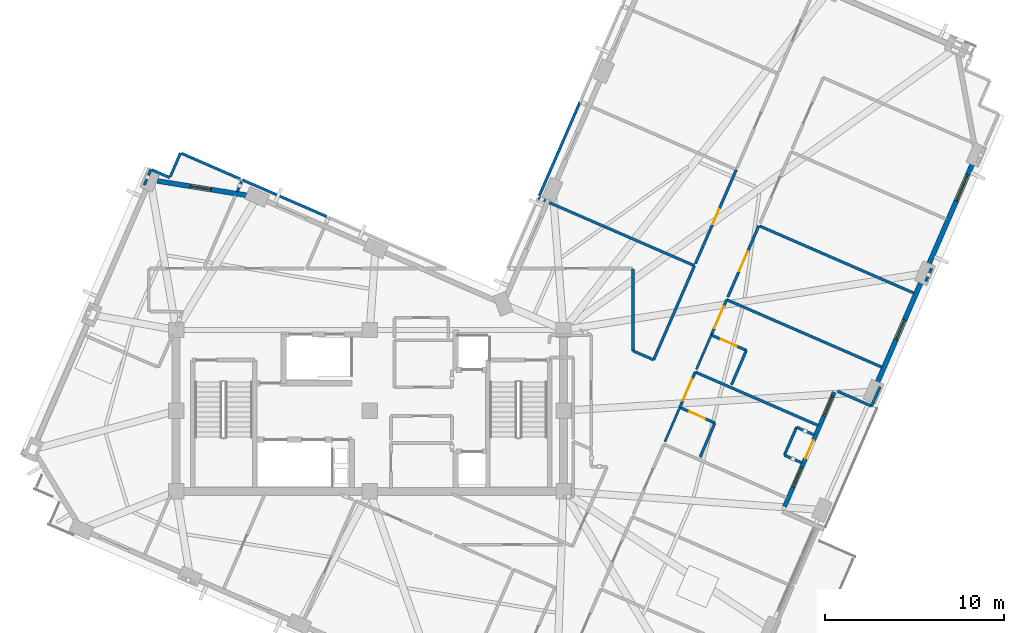
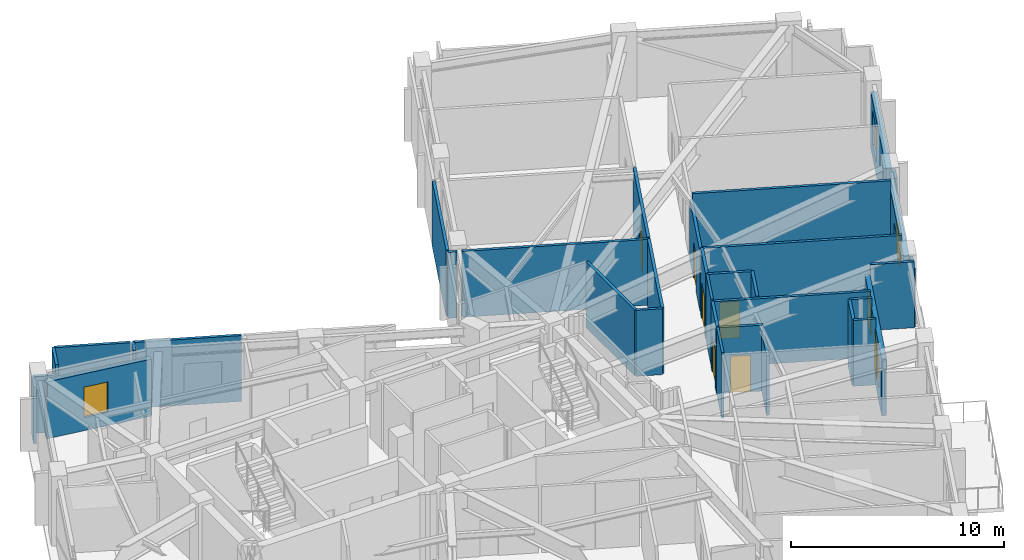
# One storey, part 8 of 12: 35 walls, 7 doors, 5 windows, 12 openings.
"""IFC4 building model written with IfcOpenShell, lengths in metres."""

from ifc_helpers import new_model, si_unit, direction, frame, frame_2d, origin, place, context, subcontext, project, spatial, rectangle, extrude, material, layer, layer_set, type_object, element, fill, save


model = new_model("IFC4")

# Units and contexts
model_context = context("Model", 3, precision=1e-05, world=origin(), true_north=direction((0.0, 1.0)))
body_context = subcontext(model_context, "Body", "Model", "MODEL_VIEW")
ifc_project = project(units=[si_unit("LENGTHUNIT", "METRE"), si_unit("AREAUNIT", "SQUARE_METRE"), si_unit("VOLUMEUNIT", "CUBIC_METRE"), si_unit("PLANEANGLEUNIT", "RADIAN"), si_unit("MASSUNIT", "GRAM", prefix="KILO")], contexts=[model_context])

# Site, building, storey
site_placement = place(None, origin())
site = spatial("IfcSite", under=ifc_project, at=site_placement, CompositionType="ELEMENT")
building_placement = place(site_placement, origin())
building = spatial("IfcBuilding", under=site, at=building_placement, Name="Gaonmaruhae Medical Tower", CompositionType="ELEMENT")
storey_placement = place(building_placement, frame((0.0, 0.0, 320.60009765625)))
storey = spatial("IfcBuildingStorey", under=building, at=storey_placement, Name="L77", CompositionType="ELEMENT", Elevation=320.60009765625)

# Wall, openings, door, windows
ifc_material_1 = material(Name="Precast concrete C45/55", Category="concrete")
ifc_layer_1 = layer(ifc_material_1, 0.239990234375)
ifc_layer_set_1 = layer_set([ifc_layer_1], Name="Precast concrete C45/55")
wall_type_1 = type_object("IfcWallType", Name="EW-240 Ribbon & Shelter Insulated Precast Wall", PredefinedType="SOLIDWALL", material=ifc_layer_set_1)
wall_1_placement = place(storey_placement, frame((50.703857421875, 13.327392578125, 0.0), z_axis=(0.0, 0.0, 1.0), x_axis=(-0.398727394062, -0.917069498579, 0.0)))
wall_1 = element("IfcWall", 1, at=wall_1_placement, inside=storey, type_object=wall_type_1, Name="L77 Recessed Terrace Enclosure Wall TERB", PredefinedType="SOLIDWALL", context=body_context, shape_type="SweptSolid", body=[
    extrude(rectangle(XDim=6.9599609375, YDim=0.239990234375, at=frame_2d((3.47998046875, 0.0))), origin(), (0.0, 0.0, 1.0), 3.264892578125),
])
opening_1_placement = place(wall_1_placement, frame((2.929931640625, 0.0, 0.0)))
opening_1 = element("IfcOpeningElement", 2, at=opening_1_placement, cuts=wall_1, Name="Opening TD-01", PredefinedType="OPENING", context=body_context, shape_type="SweptSolid", body=[
    extrude(rectangle(XDim=1.10009765625, YDim=2.14990234375, at=frame_2d((0.550048828125, 1.074951171875))), frame((0.0, 0.1298828125, 0.0), z_axis=(0.0, -1.0, 0.0), x_axis=(1.0, 0.0, 0.0)), (0.0, 0.0, 1.0), 0.260009765625),
])
opening_2_placement = place(wall_1_placement, frame((4.564453125, 0.0, 0.75)))
opening_2 = element("IfcOpeningElement", 3, at=opening_2_placement, cuts=wall_1, Name="Opening WN-05", PredefinedType="OPENING", context=body_context, shape_type="SweptSolid", body=[
    extrude(rectangle(XDim=1.199951171875, YDim=1.75, at=frame_2d((0.60009765625, 0.875))), frame((0.0, 0.1298828125, 0.0), z_axis=(0.0, -1.0, 0.0), x_axis=(1.0, 0.0, 0.0)), (0.0, 0.0, 1.0), 0.260009765625),
])
opening_3_placement = place(wall_1_placement, frame((0.234619140625, 0.0, 0.75)))
opening_3 = element("IfcOpeningElement", 4, at=opening_3_placement, cuts=wall_1, Name="Opening WN-05", PredefinedType="OPENING", context=body_context, shape_type="SweptSolid", body=[
    extrude(rectangle(XDim=1.199951171875, YDim=1.75, at=frame_2d((0.60009765625, 0.875))), frame((0.0, 0.1298828125, 0.0), z_axis=(0.0, -1.0, 0.0), x_axis=(1.0, 0.0, 0.0)), (0.0, 0.0, 1.0), 0.260009765625),
])
ifc_material_2 = material(Name="Anodised aluminium and toughened safety glass", Category="aluminium")
door_type_1 = type_object("IfcDoorType", Name="TD-01 Terrace & Sky Garden Glazed Door 1100x2150", OperationType="NOTDEFINED", PredefinedType="DOOR", material=ifc_material_2)
door_1_placement = place(opening_1_placement, origin())
door_1 = element("IfcDoor", 5, at=door_1_placement, inside=storey, type_object=door_type_1, Name="L77 Outdoor Terrace Access Door SLB-L77-TER", OperationType="SINGLE_SWING_RIGHT", OverallHeight=2.14990234375, OverallWidth=1.10009765625, PredefinedType="DOOR", context=body_context, shape_type="SweptSolid", body=[
    extrude(rectangle(XDim=1.10009765625, YDim=2.14990234375, at=frame_2d((0.550048828125, 1.074951171875))), frame((0.0, 0.02490234375, 0.0), z_axis=(0.0, -1.0, 0.0), x_axis=(1.0, 0.0, 0.0)), (0.0, 0.0, 1.0), 0.050048828125),
])
fill(opening_1, door_1)
ifc_material_3 = material(Name="Anodised aluminium and Low-E double glazing", Category="aluminium")
window_type_1 = type_object("IfcWindowType", Name="WN-05 Support & Staff Punched Window 1200x1750", PartitioningType="SINGLE_PANEL", PredefinedType="WINDOW", material=ifc_material_3)
window_1_placement = place(opening_2_placement, origin())
window_1 = element("IfcWindow", 6, at=window_1_placement, inside=storey, type_object=window_type_1, Name="L77 Patient Bedroom Window L77-BR02", OverallHeight=1.75, OverallWidth=1.199951171875, PartitioningType="SINGLE_PANEL", PredefinedType="WINDOW", context=body_context, shape_type="SweptSolid", body=[
    extrude(rectangle(XDim=1.199951171875, YDim=1.75, at=frame_2d((0.60009765625, 0.875))), frame((0.0, 0.030029296875, 0.0), z_axis=(0.0, -1.0, 0.0), x_axis=(1.0, 0.0, 0.0)), (0.0, 0.0, 1.0), 0.06005859375),
])
fill(opening_2, window_1)
window_2_placement = place(opening_3_placement, origin())
window_2 = element("IfcWindow", 7, at=window_2_placement, inside=storey, type_object=window_type_1, Name="L77 Patient Bedroom Window L77-BR03", OverallHeight=1.75, OverallWidth=1.199951171875, PartitioningType="SINGLE_PANEL", PredefinedType="WINDOW", context=body_context, shape_type="SweptSolid", body=[
    extrude(rectangle(XDim=1.199951171875, YDim=1.75, at=frame_2d((0.60009765625, 0.875))), frame((0.0, 0.030029296875, 0.0), z_axis=(0.0, -1.0, 0.0), x_axis=(1.0, 0.0, 0.0)), (0.0, 0.0, 1.0), 0.06005859375),
])
fill(opening_3, window_2)

# Wall, opening, window
ifc_layer_2 = layer(ifc_material_1, 0.280029296875)
ifc_layer_set_2 = layer_set([ifc_layer_2], Name="Precast concrete C45/55")
wall_type_2 = type_object("IfcWallType", Name="EW-280 Upper Precast Masonry-Frame Facade Wall", PredefinedType="SOLIDWALL", material=ifc_layer_set_2)
wall_2_placement = place(storey_placement, frame((55.6005859375, 19.598388671875, 0.0), z_axis=(0.0, 0.0, 1.0), x_axis=(-0.398744230651, -0.917062178112, 0.0)))
wall_2 = element("IfcWall", 8, at=wall_2_placement, inside=storey, type_object=wall_type_2, Name="L77 Precast Masonry-Frame Wall S04-S05", PredefinedType="SOLIDWALL", context=body_context, shape_type="SweptSolid", body=[
    extrude(rectangle(XDim=6.405029296875, YDim=0.280029296875, at=frame_2d((3.20263671875, 0.0))), origin(), (0.0, 0.0, 1.0), 3.244873046875),
])
opening_4_placement = place(wall_2_placement, frame((2.432373046875, 0.0, 0.75)))
opening_4 = element("IfcOpeningElement", 9, at=opening_4_placement, cuts=wall_2, Name="Opening WN-05", PredefinedType="OPENING", context=body_context, shape_type="SweptSolid", body=[
    extrude(rectangle(XDim=1.199951171875, YDim=1.75, at=frame_2d((0.60009765625, 0.875))), frame((0.0, 0.14990234375, 0.0), z_axis=(0.0, -1.0, 0.0), x_axis=(1.0, 0.0, 0.0)), (0.0, 0.0, 1.0), 0.300048828125),
])
window_3_placement = place(opening_4_placement, origin())
window_3 = element("IfcWindow", 10, at=window_3_placement, inside=storey, type_object=window_type_1, Name="L77 Modular Facade Window S04", OverallHeight=1.75, OverallWidth=1.199951171875, PartitioningType="SINGLE_PANEL", PredefinedType="WINDOW", context=body_context, shape_type="SweptSolid", body=[
    extrude(rectangle(XDim=1.199951171875, YDim=1.75, at=frame_2d((0.60009765625, 0.875))), frame((0.0, 0.030029296875, 0.0), z_axis=(0.0, -1.0, 0.0), x_axis=(1.0, 0.0, 0.0)), (0.0, 0.0, 1.0), 0.06005859375),
])
fill(opening_4, window_3)

wall_3_placement = place(storey_placement, frame((58.4716796875, 26.201171875, 0.0), z_axis=(0.0, 0.0, 1.0), x_axis=(-0.398776286617, -0.917048239316, 0.0)))
wall_3 = element("IfcWall", 11, at=wall_3_placement, inside=storey, type_object=wall_type_2, Name="L77 Precast Masonry-Frame Wall S05-S06", PredefinedType="SOLIDWALL", context=body_context, shape_type="SweptSolid", body=[
    extrude(rectangle(XDim=6.405029296875, YDim=0.280029296875, at=frame_2d((3.20263671875, 0.0))), origin(), (0.0, 0.0, 1.0), 3.244873046875),
])
opening_5_placement = place(wall_3_placement, frame((0.79638671875, 0.0, 0.75)))
opening_5 = element("IfcOpeningElement", 12, at=opening_5_placement, cuts=wall_3, Name="Opening WN-01", PredefinedType="OPENING", context=body_context, shape_type="SweptSolid", body=[
    extrude(rectangle(XDim=1.60009765625, YDim=1.949951171875, at=frame_2d((0.800048828125, 0.97509765625))), frame((0.0, 0.14990234375, 0.0), z_axis=(0.0, -1.0, 0.0), x_axis=(1.0, 0.0, 0.0)), (0.0, 0.0, 1.0), 0.300048828125),
])
window_type_2 = type_object("IfcWindowType", Name="WN-01 Ward Punched Acoustic Window 1600x1950", PartitioningType="SINGLE_PANEL", PredefinedType="WINDOW", material=ifc_material_3)
window_4_placement = place(opening_5_placement, origin())
window_4 = element("IfcWindow", 13, at=window_4_placement, inside=storey, type_object=window_type_2, Name="L77 Modular Facade Window S05", OverallHeight=1.949951171875, OverallWidth=1.60009765625, PartitioningType="SINGLE_PANEL", PredefinedType="WINDOW", context=body_context, shape_type="SweptSolid", body=[
    extrude(rectangle(XDim=1.60009765625, YDim=1.949951171875, at=frame_2d((0.800048828125, 0.97509765625))), frame((0.0, 0.030029296875, 0.0), z_axis=(0.0, -1.0, 0.0), x_axis=(1.0, 0.0, 0.0)), (0.0, 0.0, 1.0), 0.06005859375),
])
fill(opening_5, window_4)

wall_4_placement = place(storey_placement, frame((12.94580078125, 25.1103515625, 0.0), z_axis=(0.0, 0.0, 1.0), x_axis=(0.987363821305, -0.158469821666, 0.0)))
wall_4 = element("IfcWall", 14, at=wall_4_placement, inside=storey, type_object=wall_type_2, Name="L77 Precast Masonry-Frame Wall NE02-N01", PredefinedType="SOLIDWALL", context=body_context, shape_type="SweptSolid", body=[
    extrude(rectangle(XDim=5.244140625, YDim=0.280029296875, at=frame_2d((2.6220703125, 0.0))), origin(), (0.0, 0.0, 1.0), 3.264892578125),
])
opening_6_placement = place(wall_4_placement, frame((1.862060546875, 0.0, 0.75)))
opening_6 = element("IfcOpeningElement", 15, at=opening_6_placement, cuts=wall_4, Name="Opening WN-05", PredefinedType="OPENING", context=body_context, shape_type="SweptSolid", body=[
    extrude(rectangle(XDim=1.199951171875, YDim=1.75, at=frame_2d((0.60009765625, 0.875))), frame((0.0, 0.14990234375, 0.0), z_axis=(0.0, -1.0, 0.0), x_axis=(1.0, 0.0, 0.0)), (0.0, 0.0, 1.0), 0.300048828125),
])
window_5_placement = place(opening_6_placement, origin())
window_5 = element("IfcWindow", 16, at=window_5_placement, inside=storey, type_object=window_type_1, Name="L77 Modular Facade Window NE02", OverallHeight=1.75, OverallWidth=1.199951171875, PartitioningType="SINGLE_PANEL", PredefinedType="WINDOW", context=body_context, shape_type="SweptSolid", body=[
    extrude(rectangle(XDim=1.199951171875, YDim=1.75, at=frame_2d((0.60009765625, 0.875))), frame((0.0, 0.030029296875, 0.0), z_axis=(0.0, -1.0, 0.0), x_axis=(1.0, 0.0, 0.0)), (0.0, 0.0, 1.0), 0.06005859375),
])
fill(opening_6, window_5)

# Walls
ifc_material_4 = material(Name="Gypsum board partition", Category="gypsum")
ifc_layer_3 = layer(ifc_material_4, 0.125)
ifc_layer_set_3 = layer_set([ifc_layer_3], Name="Gypsum board partition")
wall_type_3 = type_object("IfcWallType", Name="PW-125 Ward & En-Suite Acoustic Partition", PredefinedType="PARTITIONING", material=ifc_layer_set_3)
wall_5_placement = place(storey_placement, frame((41.259033203125, 10.56494140625, 0.0), z_axis=(0.0, 0.0, 1.0), x_axis=(0.398808011477, 0.917034443182, 0.0)))
element("IfcWall", 17, at=wall_5_placement, inside=storey, type_object=wall_type_3, Name="L77 Interior Partition L77-ENS02-39", PredefinedType="PARTITIONING", context=body_context, shape_type="SweptSolid", body=[
    extrude(rectangle(XDim=2.071044921875, YDim=0.125, at=frame_2d((1.03564453125, 0.0))), origin(), (0.0, 0.0, 1.0), 3.77978515625),
])
wall_6_placement = place(storey_placement, frame((43.013916015625, 14.60009765625, 0.0), z_axis=(0.0, 0.0, 1.0), x_axis=(0.398553636867, 0.917145025904, 0.0)))
element("IfcWall", 18, at=wall_6_placement, inside=storey, type_object=wall_type_3, Name="L77 Interior Partition L77-ENS03-46", PredefinedType="PARTITIONING", context=body_context, shape_type="SweptSolid", body=[
    extrude(rectangle(XDim=2.070556640625, YDim=0.125, at=frame_2d((1.03515625, 0.0))), origin(), (0.0, 0.0, 1.0), 3.77978515625),
])

# Wall, opening, door
ifc_layer_4 = layer(ifc_material_4, 0.14990234375)
ifc_layer_set_4 = layer_set([ifc_layer_4], Name="Gypsum board partition")
wall_type_4 = type_object("IfcWallType", Name="PW-150 Rated Clinical Corridor Partition", PredefinedType="PARTITIONING", material=ifc_layer_set_4)
wall_7_placement = place(storey_placement, frame((42.093017578125, 12.48193359375, 0.0), z_axis=(0.0, 0.0, 1.0), x_axis=(0.398518519728, 0.917160285574, 0.0)))
wall_7 = element("IfcWall", 19, at=wall_7_placement, inside=storey, type_object=wall_type_4, Name="L77 Interior Partition L77-BR02-32", PredefinedType="PARTITIONING", context=body_context, shape_type="SweptSolid", body=[
    extrude(rectangle(XDim=2.150390625, YDim=0.14990234375, at=frame_2d((1.0751953125, 0.0))), origin(), (0.0, 0.0, 1.0), 3.77978515625),
])
opening_7_placement = place(wall_7_placement, frame((0.425048828125, 0.0, 0.0)))
opening_7 = element("IfcOpeningElement", 20, at=opening_7_placement, cuts=wall_7, Name="Opening WD-02", PredefinedType="OPENING", context=body_context, shape_type="SweptSolid", body=[
    extrude(rectangle(XDim=1.300048828125, YDim=2.14990234375, at=frame_2d((0.64990234375, 1.074951171875))), frame((0.0, 0.0849609375, 0.0), z_axis=(0.0, -1.0, 0.0), x_axis=(1.0, 0.0, 0.0)), (0.0, 0.0, 1.0), 0.169921875),
])
ifc_material_5 = material(Name="Antimicrobial laminate timber fire door", Category="wood")
door_type_2 = type_object("IfcDoorType", Name="WD-02 Isolation & ICU Patient Room Door 1300x2150", OperationType="NOTDEFINED", PredefinedType="DOOR", material=ifc_material_5)
door_2_placement = place(opening_7_placement, origin())
door_2 = element("IfcDoor", 21, at=door_2_placement, inside=storey, type_object=door_type_2, Name="L77 Single Isolation Patient Bedroom Door", OperationType="SINGLE_SWING_RIGHT", OverallHeight=2.14990234375, OverallWidth=1.300048828125, PredefinedType="DOOR", context=body_context, shape_type="SweptSolid", body=[
    extrude(rectangle(XDim=1.300048828125, YDim=2.14990234375, at=frame_2d((0.64990234375, 1.074951171875))), frame((0.0, 0.02490234375, 0.0), z_axis=(0.0, -1.0, 0.0), x_axis=(1.0, 0.0, 0.0)), (0.0, 0.0, 1.0), 0.050048828125),
])
fill(opening_7, door_2)

# Walls
wall_8_placement = place(storey_placement, frame((42.949951171875, 14.4541015625, 0.0), z_axis=(0.0, 0.0, 1.0), x_axis=(0.917043017742, -0.398788294224, 0.0)))
element("IfcWall", 22, at=wall_8_placement, inside=storey, type_object=wall_type_4, Name="L77 Interior Partition L77-BR02-33", PredefinedType="PARTITIONING", context=body_context, shape_type="SweptSolid", body=[
    extrude(rectangle(XDim=7.46533203125, YDim=0.14990234375, at=frame_2d((3.732666015625, 0.0))), origin(), (0.0, 0.0, 1.0), 3.77978515625),
])
wall_9_placement = place(storey_placement, frame((49.568115234375, 10.9541015625, 0.0), z_axis=(0.0, 0.0, 1.0), x_axis=(-0.917254037481, 0.398302687318, 0.0)))
element("IfcWall", 23, at=wall_9_placement, inside=storey, type_object=wall_type_4, Name="L77 Interior Partition L77-BR02-34", PredefinedType="PARTITIONING", context=body_context, shape_type="SweptSolid", body=[
    extrude(rectangle(XDim=1.05419921875, YDim=0.14990234375, at=frame_2d((0.527099609375, 0.0))), origin(), (0.0, 0.0, 1.0), 3.77978515625),
])
wall_10_placement = place(storey_placement, frame((48.60107421875, 11.3740234375, 0.0), z_axis=(0.0, 0.0, 1.0), x_axis=(-0.398783871208, -0.917044941137, 0.0)))
element("IfcWall", 24, at=wall_10_placement, inside=storey, type_object=wall_type_4, Name="L77 Interior Partition L77-BR02-35", PredefinedType="PARTITIONING", context=body_context, shape_type="SweptSolid", body=[
    extrude(rectangle(XDim=1.7001953125, YDim=0.14990234375, at=frame_2d((0.85009765625, 0.0))), origin(), (0.0, 0.0, 1.0), 3.77978515625),
])
wall_11_placement = place(storey_placement, frame((47.923095703125, 9.81494140625, 0.0), z_axis=(0.0, 0.0, 1.0), x_axis=(0.917217288132, -0.398387306966, 0.0)))
element("IfcWall", 25, at=wall_11_placement, inside=storey, type_object=wall_type_4, Name="L77 Interior Partition L77-BR02-36", PredefinedType="PARTITIONING", context=body_context, shape_type="SweptSolid", body=[
    extrude(rectangle(XDim=1.053955078125, YDim=0.14990234375, at=frame_2d((0.52685546875, 0.0))), origin(), (0.0, 0.0, 1.0), 3.77978515625),
])
wall_12_placement = place(storey_placement, frame((43.221923828125, 9.7119140625, 0.0), z_axis=(0.0, 0.0, 1.0), x_axis=(0.398682980107, 0.91708880779, 0.0)))
element("IfcWall", 26, at=wall_12_placement, inside=storey, type_object=wall_type_4, Name="L77 Interior Partition L77-BR02-37", PredefinedType="PARTITIONING", context=body_context, shape_type="SweptSolid", body=[
    extrude(rectangle(XDim=2.06982421875, YDim=0.14990234375, at=frame_2d((1.034912109375, 0.0))), origin(), (0.0, 0.0, 1.0), 3.414794921875),
])

# Wall, opening, door
wall_13_placement = place(storey_placement, frame((44.047119140625, 11.610107421875, 0.0), z_axis=(0.0, 0.0, 1.0), x_axis=(-0.913231902411, 0.407440170354, 0.0)))
wall_13 = element("IfcWall", 27, at=wall_13_placement, inside=storey, type_object=wall_type_4, Name="L77 Interior Partition L77-BR02-38", PredefinedType="PARTITIONING", context=body_context, shape_type="SweptSolid", body=[
    extrude(rectangle(XDim=2.1396484375, YDim=0.14990234375, at=frame_2d((1.06982421875, 0.0))), origin(), (0.0, 0.0, 1.0), 3.77978515625),
])
opening_8_placement = place(wall_13_placement, frame((0.594970703125, 0.0, 0.0)))
opening_8 = element("IfcOpeningElement", 28, at=opening_8_placement, cuts=wall_13, Name="Opening ED-01", PredefinedType="OPENING", context=body_context, shape_type="SweptSolid", body=[
    extrude(rectangle(XDim=0.949951171875, YDim=2.10009765625, at=frame_2d((0.47509765625, 1.050048828125))), frame((0.0, 0.0849609375, 0.0), z_axis=(0.0, -1.0, 0.0), x_axis=(1.0, 0.0, 0.0)), (0.0, 0.0, 1.0), 0.169921875),
])
ifc_material_6 = material(Name="Moisture-resistant HPL hospital door", Category="wood")
door_type_3 = type_object("IfcDoorType", Name="ED-01 Patient En-Suite Bathroom Door 950x2100", OperationType="NOTDEFINED", PredefinedType="DOOR", material=ifc_material_6)
door_3_placement = place(opening_8_placement, origin())
door_3 = element("IfcDoor", 29, at=door_3_placement, inside=storey, type_object=door_type_3, Name="L77 Patient En-Suite Bathroom Door", OperationType="SINGLE_SWING_LEFT", OverallHeight=2.10009765625, OverallWidth=0.949951171875, PredefinedType="DOOR", context=body_context, shape_type="SweptSolid", body=[
    extrude(rectangle(XDim=0.949951171875, YDim=2.10009765625, at=frame_2d((0.47509765625, 1.050048828125))), frame((0.0, 0.02490234375, 0.0), z_axis=(0.0, -1.0, 0.0), x_axis=(1.0, 0.0, 0.0)), (0.0, 0.0, 1.0), 0.050048828125),
])
fill(opening_8, door_3)

# Wall
wall_14_placement = place(storey_placement, frame((44.97607421875, 13.7470703125, 0.0), z_axis=(0.0, 0.0, 1.0), x_axis=(0.396236327193, 0.918148557159, 0.0)))
element("IfcWall", 30, at=wall_14_placement, inside=storey, type_object=wall_type_4, Name="L77 Interior Partition L77-BR03-40", PredefinedType="PARTITIONING", context=body_context, shape_type="SweptSolid", body=[
    extrude(rectangle(XDim=2.08447265625, YDim=0.14990234375, at=frame_2d((1.042236328125, 0.0))), origin(), (0.0, 0.0, 1.0), 3.77978515625),
])

# Wall, opening, door
wall_15_placement = place(storey_placement, frame((45.802001953125, 15.660888671875, 0.0), z_axis=(0.0, 0.0, 1.0), x_axis=(-0.916010257987, 0.401154842003, 0.0)))
wall_15 = element("IfcWall", 31, at=wall_15_placement, inside=storey, type_object=wall_type_4, Name="L77 Interior Partition L77-BR03-41", PredefinedType="PARTITIONING", context=body_context, shape_type="SweptSolid", body=[
    extrude(rectangle(XDim=2.13427734375, YDim=0.14990234375, at=frame_2d((1.067138671875, 0.0))), origin(), (0.0, 0.0, 1.0), 3.77978515625),
])
opening_9_placement = place(wall_15_placement, frame((0.592041015625, 0.0, 0.0)))
opening_9 = element("IfcOpeningElement", 32, at=opening_9_placement, cuts=wall_15, Name="Opening ED-01", PredefinedType="OPENING", context=body_context, shape_type="SweptSolid", body=[
    extrude(rectangle(XDim=0.949951171875, YDim=2.10009765625, at=frame_2d((0.47509765625, 1.050048828125))), frame((0.0, 0.0849609375, 0.0), z_axis=(0.0, -1.0, 0.0), x_axis=(1.0, 0.0, 0.0)), (0.0, 0.0, 1.0), 0.169921875),
])
door_4_placement = place(opening_9_placement, origin())
door_4 = element("IfcDoor", 33, at=door_4_placement, inside=storey, type_object=door_type_3, Name="L77 Patient En-Suite Bathroom Door", OperationType="SINGLE_SWING_LEFT", OverallHeight=2.10009765625, OverallWidth=0.949951171875, PredefinedType="DOOR", context=body_context, shape_type="SweptSolid", body=[
    extrude(rectangle(XDim=0.949951171875, YDim=2.10009765625, at=frame_2d((0.47509765625, 1.050048828125))), frame((0.0, 0.02490234375, 0.0), z_axis=(0.0, -1.0, 0.0), x_axis=(1.0, 0.0, 0.0)), (0.0, 0.0, 1.0), 0.050048828125),
])
fill(opening_9, door_4)

wall_16_placement = place(storey_placement, frame((43.846923828125, 16.51708984375, 0.0), z_axis=(0.0, 0.0, 1.0), x_axis=(0.398655528378, 0.917100741301, 0.0)))
wall_16 = element("IfcWall", 34, at=wall_16_placement, inside=storey, type_object=wall_type_4, Name="L77 Interior Partition L77-BR03-42", PredefinedType="PARTITIONING", context=body_context, shape_type="SweptSolid", body=[
    extrude(rectangle(XDim=2.150146484375, YDim=0.14990234375, at=frame_2d((1.0751953125, 0.0))), origin(), (0.0, 0.0, 1.0), 3.77978515625),
])
opening_10_placement = place(wall_16_placement, frame((0.425048828125, 0.0, 0.0)))
opening_10 = element("IfcOpeningElement", 35, at=opening_10_placement, cuts=wall_16, Name="Opening WD-02", PredefinedType="OPENING", context=body_context, shape_type="SweptSolid", body=[
    extrude(rectangle(XDim=1.300048828125, YDim=2.14990234375, at=frame_2d((0.64990234375, 1.074951171875))), frame((0.0, 0.0849609375, 0.0), z_axis=(0.0, -1.0, 0.0), x_axis=(1.0, 0.0, 0.0)), (0.0, 0.0, 1.0), 0.169921875),
])
door_5_placement = place(opening_10_placement, origin())
door_5 = element("IfcDoor", 36, at=door_5_placement, inside=storey, type_object=door_type_2, Name="L77 Single Isolation Patient Bedroom Door", OperationType="SINGLE_SWING_RIGHT", OverallHeight=2.14990234375, OverallWidth=1.300048828125, PredefinedType="DOOR", context=body_context, shape_type="SweptSolid", body=[
    extrude(rectangle(XDim=1.300048828125, YDim=2.14990234375, at=frame_2d((0.64990234375, 1.074951171875))), frame((0.0, 0.02490234375, 0.0), z_axis=(0.0, -1.0, 0.0), x_axis=(1.0, 0.0, 0.0)), (0.0, 0.0, 1.0), 0.050048828125),
])
fill(opening_10, door_5)

# Walls
wall_17_placement = place(storey_placement, frame((44.7041015625, 18.489013671875, 0.0), z_axis=(0.0, 0.0, 1.0), x_axis=(0.917037556052, -0.398800853547, 0.0)))
element("IfcWall", 37, at=wall_17_placement, inside=storey, type_object=wall_type_4, Name="L77 Interior Partition L77-BR03-43", PredefinedType="PARTITIONING", context=body_context, shape_type="SweptSolid", body=[
    extrude(rectangle(XDim=9.435546875, YDim=0.14990234375, at=frame_2d((4.7177734375, 0.0))), origin(), (0.0, 0.0, 1.0), 3.77978515625),
])
wall_18_placement = place(storey_placement, frame((53.258056640625, 13.633056640625, 0.0), z_axis=(0.0, 0.0, 1.0), x_axis=(-0.398688245034, -0.917086518967, 0.0)))
element("IfcWall", 38, at=wall_18_placement, inside=storey, type_object=wall_type_4, Name="L77 Interior Partition L77-BR03-44", PredefinedType="PARTITIONING", context=body_context, shape_type="SweptSolid", body=[
    extrude(rectangle(XDim=1.1787109375, YDim=0.14990234375, at=frame_2d((0.58935546875, 0.0))), origin(), (0.0, 0.0, 1.0), 3.244873046875),
])
wall_19_placement = place(storey_placement, frame((52.7880859375, 12.552001953125, 0.0), z_axis=(0.0, 0.0, 1.0), x_axis=(-0.91699543107, 0.39889770543, 0.0)))
element("IfcWall", 39, at=wall_19_placement, inside=storey, type_object=wall_type_4, Name="L77 Interior Partition L77-BR03-45", PredefinedType="PARTITIONING", context=body_context, shape_type="SweptSolid", body=[
    extrude(rectangle(XDim=2.080810546875, YDim=0.14990234375, at=frame_2d((1.04052734375, 0.0))), origin(), (0.0, 0.0, 1.0), 3.77978515625),
])

# Wall, opening, door
wall_20_placement = place(storey_placement, frame((44.76806640625, 18.635009765625, 0.0), z_axis=(0.0, 0.0, 1.0), x_axis=(0.398828954963, 0.91702533481, 0.0)))
wall_20 = element("IfcWall", 40, at=wall_20_placement, inside=storey, type_object=wall_type_4, Name="L77 Interior Partition L77-SUP04-47", PredefinedType="PARTITIONING", context=body_context, shape_type="SweptSolid", body=[
    extrude(rectangle(XDim=4.340087890625, YDim=0.14990234375, at=frame_2d((2.169921875, 0.0))), origin(), (0.0, 0.0, 1.0), 3.414794921875),
])
opening_11_placement = place(wall_20_placement, frame((1.570068359375, 0.0, 0.0)))
opening_11 = element("IfcOpeningElement", 41, at=opening_11_placement, cuts=wall_20, Name="Opening CD-02", PredefinedType="OPENING", context=body_context, shape_type="SweptSolid", body=[
    extrude(rectangle(XDim=1.199951171875, YDim=2.14990234375, at=frame_2d((0.60009765625, 1.074951171875))), frame((0.0, 0.0849609375, 0.0), z_axis=(0.0, -1.0, 0.0), x_axis=(1.0, 0.0, 0.0)), (0.0, 0.0, 1.0), 0.169921875),
])
door_type_4 = type_object("IfcDoorType", Name="CD-02 Clinical Treatment & Procedure Door 1200x2150", OperationType="NOTDEFINED", PredefinedType="DOOR", material=ifc_material_5)
door_6_placement = place(opening_11_placement, origin())
door_6 = element("IfcDoor", 42, at=door_6_placement, inside=storey, type_object=door_type_4, Name="L77 Clinical Biomedical Charting Office Door", OperationType="SINGLE_SWING_RIGHT", OverallHeight=2.14990234375, OverallWidth=1.199951171875, PredefinedType="DOOR", context=body_context, shape_type="SweptSolid", body=[
    extrude(rectangle(XDim=1.199951171875, YDim=2.14990234375, at=frame_2d((0.60009765625, 1.074951171875))), frame((0.0, 0.02490234375, 0.0), z_axis=(0.0, -1.0, 0.0), x_axis=(1.0, 0.0, 0.0)), (0.0, 0.0, 1.0), 0.050048828125),
])
fill(opening_11, door_6)

# Walls
wall_21_placement = place(storey_placement, frame((46.544921875, 22.594970703125, 0.0), z_axis=(0.0, 0.0, 1.0), x_axis=(0.917099421132, -0.39865856539, 0.0)))
element("IfcWall", 43, at=wall_21_placement, inside=storey, type_object=wall_type_4, Name="L77 Interior Partition L77-SUP04-48", PredefinedType="PARTITIONING", context=body_context, shape_type="SweptSolid", body=[
    extrude(rectangle(XDim=9.3837890625, YDim=0.14990234375, at=frame_2d((4.69189453125, 0.0))), origin(), (0.0, 0.0, 1.0), 3.77978515625),
])
wall_22_placement = place(storey_placement, frame((56.1279296875, 20.236083984375, 0.0), z_axis=(0.0, 0.0, 1.0), x_axis=(-0.398658726612, -0.91709935105, 0.0)))
element("IfcWall", 44, at=wall_22_placement, inside=storey, type_object=wall_type_4, Name="L77 Interior Partition L77-SUP05-51", PredefinedType="PARTITIONING", context=body_context, shape_type="SweptSolid", body=[
    extrude(rectangle(XDim=0.794921875, YDim=0.14990234375, at=frame_2d((0.3974609375, 0.0))), origin(), (0.0, 0.0, 1.0), 3.244873046875),
])
wall_23_placement = place(storey_placement, frame((34.197998046875, 24.1689453125, 0.0), z_axis=(0.0, 0.0, 1.0), x_axis=(0.917569282622, -0.397575919276, 0.0)))
element("IfcWall", 45, at=wall_23_placement, inside=storey, type_object=wall_type_4, Name="L77 Interior Partition L77-IE03-99", PredefinedType="PARTITIONING", context=body_context, shape_type="SweptSolid", body=[
    extrude(rectangle(XDim=0.434814453125, YDim=0.14990234375, at=frame_2d((0.21728515625, 0.0))), origin(), (0.0, 0.0, 1.0), 3.77978515625),
])
wall_24_placement = place(storey_placement, frame((34.80810546875, 23.904052734375, 0.0), z_axis=(0.0, 0.0, 1.0), x_axis=(0.917052481723, -0.398766530398, 0.0)))
element("IfcWall", 46, at=wall_24_placement, inside=storey, type_object=wall_type_4, Name="L77 Interior Partition L77-IE03-100", PredefinedType="PARTITIONING", context=body_context, shape_type="SweptSolid", body=[
    extrude(rectangle(XDim=8.834716796875, YDim=0.14990234375, at=frame_2d((4.41748046875, 0.0))), origin(), (0.0, 0.0, 1.0), 3.77978515625),
])
wall_25_placement = place(storey_placement, frame((42.909912109375, 20.381103515625, 0.0), z_axis=(0.0, 0.0, 1.0), x_axis=(-0.398677741034, -0.917091085337, 0.0)))
element("IfcWall", 47, at=wall_25_placement, inside=storey, type_object=wall_type_4, Name="L77 Interior Partition L77-IE03-101", PredefinedType="PARTITIONING", context=body_context, shape_type="SweptSolid", body=[
    extrude(rectangle(XDim=5.721435546875, YDim=0.14990234375, at=frame_2d((2.86083984375, 0.0))), origin(), (0.0, 0.0, 1.0), 3.77978515625),
])
wall_26_placement = place(storey_placement, frame((40.62890625, 15.134033203125, 0.0), z_axis=(0.0, 0.0, 1.0), x_axis=(-0.916933705125, 0.399039572481, 0.0)))
element("IfcWall", 48, at=wall_26_placement, inside=storey, type_object=wall_type_4, Name="L77 Interior Partition L77-IE03-102", PredefinedType="PARTITIONING", context=body_context, shape_type="SweptSolid", body=[
    extrude(rectangle(XDim=1.2529296875, YDim=0.14990234375, at=frame_2d((0.62646484375, 0.0))), origin(), (0.0, 0.0, 1.0), 3.77978515625),
])
wall_27_placement = place(storey_placement, frame((39.47998046875, 15.634033203125, 0.0), z_axis=(0.0, 0.0, 1.0), x_axis=(0.0, 1.0, 0.0)))
element("IfcWall", 49, at=wall_27_placement, inside=storey, type_object=wall_type_4, Name="L77 Interior Partition L77-IE03-103", PredefinedType="PARTITIONING", context=body_context, shape_type="SweptSolid", body=[
    extrude(rectangle(XDim=4.56884765625, YDim=0.14990234375, at=frame_2d((2.284423828125, 0.0))), origin(), (0.0, 0.0, 1.0), 3.77978515625),
])

# Wall, opening, door
wall_28_placement = place(storey_placement, frame((45.239013671875, 25.738037109375, 0.0), z_axis=(0.0, 0.0, 1.0), x_axis=(-0.398677741034, -0.917091085337, 0.0)))
wall_28 = element("IfcWall", 50, at=wall_28_placement, inside=storey, type_object=wall_type_4, Name="L77 Interior Partition L77-IE04-104", PredefinedType="PARTITIONING", context=body_context, shape_type="SweptSolid", body=[
    extrude(rectangle(XDim=5.721435546875, YDim=0.14990234375, at=frame_2d((2.86083984375, 0.0))), origin(), (0.0, 0.0, 1.0), 3.77978515625),
])
opening_12_placement = place(wall_28_placement, frame((2.400634765625, 0.0, 0.0)))
opening_12 = element("IfcOpeningElement", 51, at=opening_12_placement, cuts=wall_28, Name="Opening UD-01", PredefinedType="OPENING", context=body_context, shape_type="SweptSolid", body=[
    extrude(rectangle(XDim=0.919921875, YDim=2.10009765625, at=frame_2d((0.4599609375, 1.050048828125))), frame((0.0, 0.0849609375, 0.0), z_axis=(0.0, -1.0, 0.0), x_axis=(1.0, 0.0, 0.0)), (0.0, 0.0, 1.0), 0.169921875),
])
ifc_material_7 = material(Name="Powder-coated steel utility door", Category="steel")
door_type_5 = type_object("IfcDoorType", Name="UD-01 Toilet, Utility & Housekeeping Door 920x2100", OperationType="NOTDEFINED", PredefinedType="DOOR", material=ifc_material_7)
door_7_placement = place(opening_12_placement, origin())
door_7 = element("IfcDoor", 52, at=door_7_placement, inside=storey, type_object=door_type_5, Name="L77 Accessible Public Toilet Door", OperationType="SINGLE_SWING_LEFT", OverallHeight=2.10009765625, OverallWidth=0.919921875, PredefinedType="DOOR", context=body_context, shape_type="SweptSolid", body=[
    extrude(rectangle(XDim=0.919921875, YDim=2.10009765625, at=frame_2d((0.4599609375, 1.050048828125))), frame((0.0, 0.02490234375, 0.0), z_axis=(0.0, -1.0, 0.0), x_axis=(1.0, 0.0, 0.0)), (0.0, 0.0, 1.0), 0.050048828125),
])
fill(opening_12, door_7)

# Walls
wall_29_placement = place(storey_placement, frame((34.24609375, 24.279052734375, 0.0), z_axis=(0.0, 0.0, 1.0), x_axis=(0.398693343221, 0.917084302598, 0.0)))
element("IfcWall", 53, at=wall_29_placement, inside=storey, type_object=wall_type_4, Name="L77 Interior Partition L77-IE04-105", PredefinedType="PARTITIONING", context=body_context, shape_type="SweptSolid", body=[
    extrude(rectangle(XDim=5.72119140625, YDim=0.14990234375, at=frame_2d((2.860595703125, 0.0))), origin(), (0.0, 0.0, 1.0), 3.77978515625),
])
wall_30_placement = place(storey_placement, frame((17.402099609375, 24.511962890625, 0.0), z_axis=(0.0, 0.0, 1.0), x_axis=(0.398195004061, 0.917300789677, 0.0)))
element("IfcWall", 54, at=wall_30_placement, inside=storey, type_object=wall_type_4, Name="L77 Interior Partition L77-IN02-124", PredefinedType="PARTITIONING", context=body_context, shape_type="SweptSolid", body=[
    extrude(rectangle(XDim=0.722900390625, YDim=0.14990234375, at=frame_2d((0.361328125, 0.0))), origin(), (0.0, 0.0, 1.0), 3.77978515625),
])
wall_31_placement = place(storey_placement, frame((17.68994140625, 25.175048828125, 0.0), z_axis=(0.0, 0.0, 1.0), x_axis=(0.917107123666, -0.398640845525, 0.0)))
element("IfcWall", 55, at=wall_31_placement, inside=storey, type_object=wall_type_4, Name="L77 Interior Partition L77-IN02-125", PredefinedType="PARTITIONING", context=body_context, shape_type="SweptSolid", body=[
    extrude(rectangle(XDim=5.13037109375, YDim=0.14990234375, at=frame_2d((2.565185546875, 0.0))), origin(), (0.0, 0.0, 1.0), 3.77978515625),
])
wall_32_placement = place(storey_placement, frame((12.219970703125, 24.885009765625, 0.0), z_axis=(0.0, 0.0, 1.0), x_axis=(0.399235297463, 0.916848502894, 0.0)))
element("IfcWall", 56, at=wall_32_placement, inside=storey, type_object=wall_type_4, Name="L77 Interior Partition L77-IN03-132", PredefinedType="PARTITIONING", context=body_context, shape_type="SweptSolid", body=[
    extrude(rectangle(XDim=0.946533203125, YDim=0.14990234375, at=frame_2d((0.47314453125, 0.0))), origin(), (0.0, 0.0, 1.0), 3.264892578125),
])
wall_33_placement = place(storey_placement, frame((12.64404296875, 25.73291015625, 0.0), z_axis=(0.0, 0.0, 1.0), x_axis=(0.9173866736, -0.397997099362, 0.0)))
element("IfcWall", 57, at=wall_33_placement, inside=storey, type_object=wall_type_4, Name="L77 Interior Partition L77-IN03-133", PredefinedType="PARTITIONING", context=body_context, shape_type="SweptSolid", body=[
    extrude(rectangle(XDim=1.090087890625, YDim=0.14990234375, at=frame_2d((0.544921875, 0.0))), origin(), (0.0, 0.0, 1.0), 3.264892578125),
])
wall_34_placement = place(storey_placement, frame((13.6640625, 25.344970703125, 0.0), z_axis=(0.0, 0.0, 1.0), x_axis=(0.398732271116, 0.917067378097, 0.0)))
element("IfcWall", 58, at=wall_34_placement, inside=storey, type_object=wall_type_4, Name="L77 Interior Partition L77-IN03-134", PredefinedType="PARTITIONING", context=body_context, shape_type="SweptSolid", body=[
    extrude(rectangle(XDim=1.44921875, YDim=0.14990234375, at=frame_2d((0.724609375, 0.0))), origin(), (0.0, 0.0, 1.0), 3.77978515625),
])
wall_35_placement = place(storey_placement, frame((14.2880859375, 26.654052734375, 0.0), z_axis=(0.0, 0.0, 1.0), x_axis=(0.917085193586, -0.398691293741, 0.0)))
element("IfcWall", 59, at=wall_35_placement, inside=storey, type_object=wall_type_4, Name="L77 Interior Partition L77-IN03-135", PredefinedType="PARTITIONING", context=body_context, shape_type="SweptSolid", body=[
    extrude(rectangle(XDim=3.589599609375, YDim=0.14990234375, at=frame_2d((1.794921875, 0.0))), origin(), (0.0, 0.0, 1.0), 3.77978515625),
])

save(model, "model.ifc")
